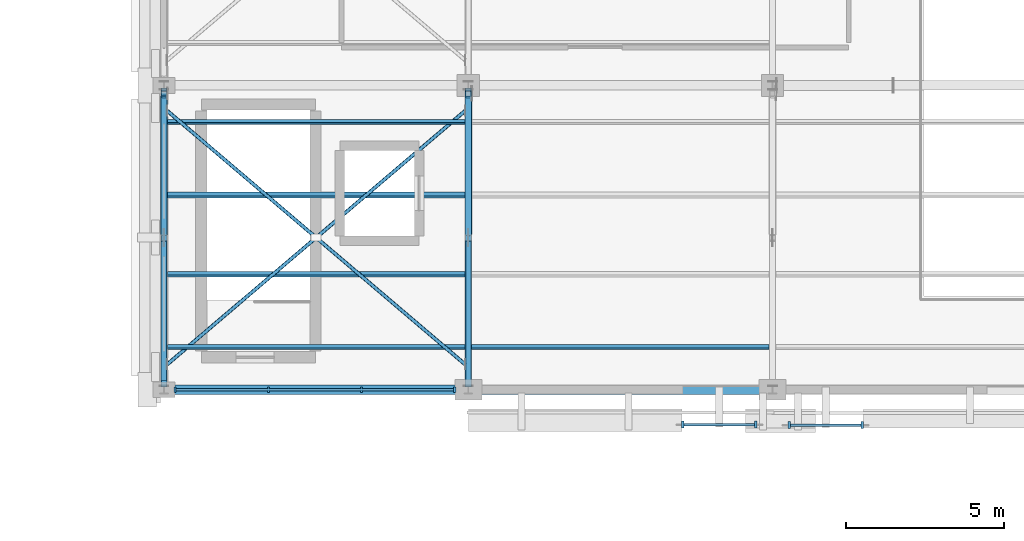
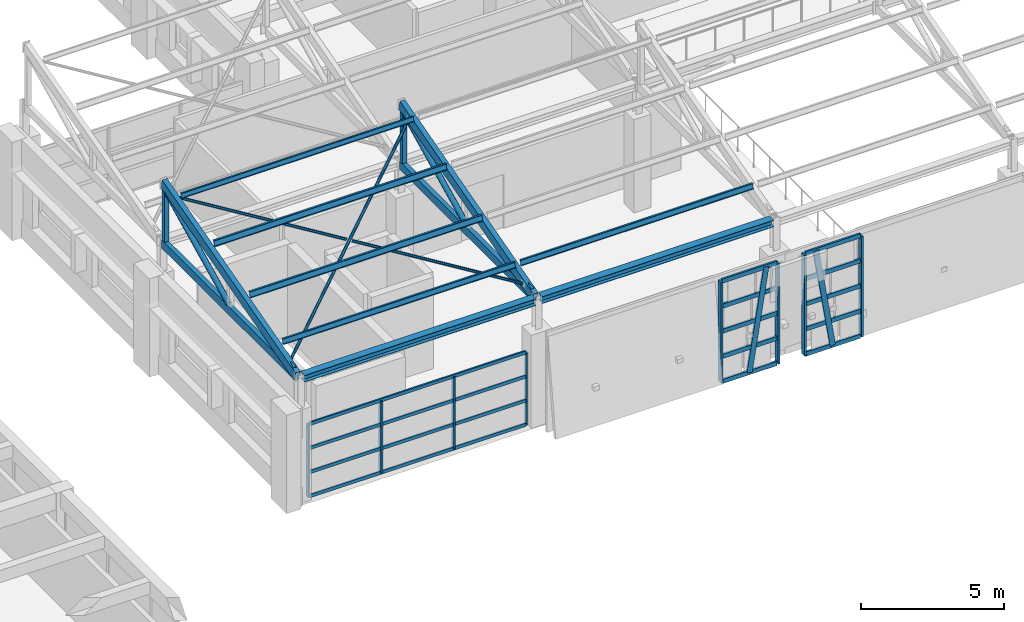
# One storey, part 13 of 58: 42 members, 2 beams, 3 elements without a shape of their own.
"""IFC4 building model written with IfcOpenShell, lengths in metres."""

import ifcopenshell
import ifcopenshell.guid

model = None  # the IFC model being written
_history = None  # IfcOwnerHistory: only IFC2X3 demands one
_inside = {}  # id of a spatial element -> (the spatial element, [elements in it])
_under = {}  # id of a project, library or spatial element -> (it, [spatial elements below it])
_declared = {}  # id of a project -> (the project, [libraries it declares])
_typed = {}  # id of a type object -> (the type object, [elements of that type])
_made_of = {}  # id of a material, layer set ... -> (it, [elements and type objects made of it])


def new_model(schema):
    """Start an empty IFC model of exactly this schema.

    Asked for "IFC4X3", IfcOpenShell would pick the latest addendum, in which some entities
    have other attributes; the version numbers below select the first issue.
    IFC2X3 requires an IfcOwnerHistory on every rooted entity: one is made here for all.
    """
    global model, _history
    if schema == "IFC4X3":
        model = ifcopenshell.file(schema_version=(4, 3, 0, 0))
    else:
        model = ifcopenshell.file(schema=schema)
    _inside.clear()
    _under.clear()
    _declared.clear()
    _typed.clear()
    _made_of.clear()
    _history = None
    if model.schema == "IFC2X3":
        org = make("IfcOrganization", Name="unknown")
        user = make(
            "IfcPersonAndOrganization",
            ThePerson=make("IfcPerson", FamilyName="unknown"),
            TheOrganization=org,
        )
        app = make(
            "IfcApplication",
            ApplicationDeveloper=org,
            Version="unknown",
            ApplicationFullName="unknown",
            ApplicationIdentifier="unknown",
        )
        _history = make(
            "IfcOwnerHistory",
            OwningUser=user,
            OwningApplication=app,
            ChangeAction="ADDED",
            CreationDate=0,
        )
    return model


def make(cls, **values):
    """One entity of the class cls with the attributes given. An attribute that is None is left unset."""
    return model.create_entity(
        cls, **{name: value for name, value in values.items() if value is not None}
    )


def rooted(cls, **values):
    """An entity with a GlobalId (a new one), such as an element, a storey or a relation."""
    return make(cls, GlobalId=ifcopenshell.guid.new(), OwnerHistory=_history, **values)


def si_unit(unit_type, name, prefix=None):
    """IfcSIUnit, for example si_unit("LENGTHUNIT", "METRE", prefix="MILLI")."""
    return make("IfcSIUnit", UnitType=unit_type, Prefix=prefix, Name=name)


def assignment(units):
    """IfcUnitAssignment: the units of a project."""
    return None if units is None else make("IfcUnitAssignment", Units=units)


def point(xyz):
    """IfcCartesianPoint."""
    return None if xyz is None else make("IfcCartesianPoint", Coordinates=xyz)


def direction(xyz):
    """IfcDirection."""
    return None if xyz is None else make("IfcDirection", DirectionRatios=xyz)


def frame(location, z_axis=None, x_axis=None):
    """IfcAxis2Placement3D, a coordinate frame: its origin and axes. An axis left out is left unset."""
    return make(
        "IfcAxis2Placement3D",
        Location=point(location),
        Axis=direction(z_axis),
        RefDirection=direction(x_axis),
    )


def frame_2d(location, x_axis=None):
    """IfcAxis2Placement2D, a coordinate frame in the plane: its origin and x axis."""
    return make(
        "IfcAxis2Placement2D", Location=point(location), RefDirection=direction(x_axis)
    )


def origin():
    """The frame at (0, 0, 0) with its axes left unset."""
    return frame((0.0, 0.0, 0.0))


def origin_2d():
    """The frame at (0, 0) in the plane with its x axis left unset."""
    return frame_2d((0.0, 0.0))


def place(relative_to, where):
    """IfcLocalPlacement: puts the frame where relative to a parent placement (None: the world)."""
    return make(
        "IfcLocalPlacement", PlacementRelTo=relative_to, RelativePlacement=where
    )


def context(
    kind, dimensions, precision=None, world=None, true_north=None, identifier=None
):
    """IfcGeometricRepresentationContext, for example the 3D "Model" context."""
    return make(
        "IfcGeometricRepresentationContext",
        ContextIdentifier=identifier,
        ContextType=kind,
        CoordinateSpaceDimension=dimensions,
        Precision=precision,
        WorldCoordinateSystem=world,
        TrueNorth=true_north,
    )


def subcontext(parent, identifier, kind, view, scale=None):
    """IfcGeometricRepresentationSubContext, for example "Body" below "Model"."""
    return make(
        "IfcGeometricRepresentationSubContext",
        ContextIdentifier=identifier,
        ContextType=kind,
        ParentContext=parent,
        TargetScale=scale,
        TargetView=view,
    )


def project(units=None, contexts=None):
    """IfcProject with its units and contexts."""
    return rooted(
        "IfcProject",
        Name="project",
        RepresentationContexts=contexts,
        UnitsInContext=assignment(units),
    )


def spatial(cls, under=None, at=None, **own):
    """A site, building, storey or space (cls), placed at a placement, below another one or the project."""
    s = rooted(cls, ObjectPlacement=at, **own)
    if under is not None:
        _under.setdefault(under.id(), (under, []))[1].append(s)
    return s


def profile(cls, at=None, kind="AREA", **sizes):
    """A parametric profile (cls). Its sizes go by their IFC names, for example OverallWidth=200.0."""
    return make(cls, ProfileType=kind, Position=at, **sizes)


def rectangle(**sizes):
    """IfcRectangleProfileDef."""
    return profile("IfcRectangleProfileDef", **sizes)


def hollow_rectangle(**sizes):
    """IfcRectangleHollowProfileDef."""
    return profile("IfcRectangleHollowProfileDef", **sizes)


def hollow_circle(**sizes):
    """IfcCircleHollowProfileDef."""
    return profile("IfcCircleHollowProfileDef", **sizes)


def i_section(**sizes):
    """IfcIShapeProfileDef."""
    return profile("IfcIShapeProfileDef", **sizes)


def extrude(swept, where, along, depth):
    """IfcExtrudedAreaSolid: the profile swept, set in the frame where, extruded along a direction by depth."""
    return make(
        "IfcExtrudedAreaSolid",
        SweptArea=swept,
        Position=where,
        ExtrudedDirection=direction(along),
        Depth=depth,
    )


def shape(context_of_items, identifier, shape_type, items):
    """IfcShapeRepresentation: the items that make up one representation, for example the "Body"."""
    return make(
        "IfcShapeRepresentation",
        ContextOfItems=context_of_items,
        RepresentationIdentifier=identifier,
        RepresentationType=shape_type,
        Items=items,
    )


def material(Name=None, Category=None):
    """IfcMaterial."""
    return make("IfcMaterial", Name=Name, Category=Category)


def layer(
    of_material, thickness, ventilated=None, Name=None, Category=None, Priority=None
):
    """IfcMaterialLayer: one layer of a wall or slab, of a material (None: an air gap)."""
    return make(
        "IfcMaterialLayer",
        Material=of_material,
        LayerThickness=thickness,
        IsVentilated=ventilated,
        Name=Name,
        Category=Category,
        Priority=Priority,
    )


def layer_set(layers, Name=None):
    """IfcMaterialLayerSet."""
    return make("IfcMaterialLayerSet", MaterialLayers=layers, LayerSetName=Name)


def material_profile(
    of_material, cross_section, Name=None, Category=None, Priority=None
):
    """IfcMaterialProfile: a cross section and its material."""
    return make(
        "IfcMaterialProfile",
        Name=Name,
        Material=of_material,
        Profile=cross_section,
        Priority=Priority,
        Category=Category,
    )


def profile_set(profiles, Name=None, composite=None):
    """IfcMaterialProfileSet."""
    return make(
        "IfcMaterialProfileSet",
        Name=Name,
        MaterialProfiles=profiles,
        CompositeProfile=composite,
    )


def made_of(thing, what):
    """Note that an element or type object is made of a material, layer set ...; save() writes the relation."""
    if what is not None:
        _made_of.setdefault(what.id(), (what, []))[1].append(thing)
    return thing


def type_object(cls, material=None, **own):
    """A type object (cls), such as IfcWallType, which elements share."""
    return made_of(rooted(cls, **own), material)


def element(
    cls,
    number,
    at=None,
    inside=None,
    cuts=None,
    type_object=None,
    material=None,
    context=None,
    identifier="Body",
    shape_type=None,
    held_by="IfcProductDefinitionShape",
    body=None,
    shapes=None,
    **own,
):
    """One element of the class cls, such as IfcWall. Its Tag is "e" and its number.

    at: its placement. inside: the storey or other place that contains it. cuts: it is an
    opening in that element (IfcRelVoidsElement). A single representation is given by context,
    identifier, shape_type and body (its items); several are given by shapes. held_by: the class
    of the entity that holds the representations. save() writes the other relations.
    """
    e = rooted(cls, Tag="e%d" % number, ObjectPlacement=at, **own)
    if body is not None:
        shapes = [shape(context, identifier, shape_type, body)]
    if shapes is not None:
        e.Representation = make(held_by, Representations=shapes)
    if inside is not None:
        _inside.setdefault(inside.id(), (inside, []))[1].append(e)
    if cuts is not None:
        rooted(
            "IfcRelVoidsElement", RelatingBuildingElement=cuts, RelatedOpeningElement=e
        )
    if type_object is not None:
        _typed.setdefault(type_object.id(), (type_object, []))[1].append(e)
    return made_of(e, material)


def aggregate(whole, parts):
    """IfcRelAggregates: a whole, such as a stair, and the parts it consists of."""
    return rooted("IfcRelAggregates", RelatingObject=whole, RelatedObjects=parts)


def save(model, path):
    """Write the relations noted so far, then the file.

    IfcRelAggregates (storeys below a building ...), IfcRelContainedInSpatialStructure (elements
    in a storey), IfcRelDefinesByType, IfcRelAssociatesMaterial and IfcRelDeclares: one each for
    every whole, place, type object, material and project.
    """
    for whole, parts in _under.values():
        aggregate(whole, parts)
    for where, things in _inside.values():
        rooted(
            "IfcRelContainedInSpatialStructure",
            RelatedElements=things,
            RelatingStructure=where,
        )
    for kind, things in _typed.values():
        rooted("IfcRelDefinesByType", RelatedObjects=things, RelatingType=kind)
    for what, things in _made_of.values():
        rooted("IfcRelAssociatesMaterial", RelatedObjects=things, RelatingMaterial=what)
    for by, libraries in _declared.values():
        rooted("IfcRelDeclares", RelatingContext=by, RelatedDefinitions=libraries)
    model.write(path)


model = new_model("IFC4")

# Units and contexts
model_context = context("Model", 3, precision=1e-05, world=origin(), true_north=direction((0.0, 1.0)))
body_context = subcontext(model_context, "Body", "Model", "MODEL_VIEW")
ifc_project = project(units=[si_unit("LENGTHUNIT", "METRE"), si_unit("AREAUNIT", "SQUARE_METRE"), si_unit("VOLUMEUNIT", "CUBIC_METRE"), si_unit("PLANEANGLEUNIT", "RADIAN"), si_unit("MASSUNIT", "GRAM", prefix="KILO")], contexts=[model_context])

# Site, building, storey
site_placement = place(None, origin())
site = spatial("IfcSite", under=ifc_project, at=site_placement, CompositionType="ELEMENT")
building_placement = place(site_placement, origin())
building = spatial("IfcBuilding", under=site, at=building_placement, Name="Bempovik Park Faculty of Sciences", CompositionType="ELEMENT")
storey_placement = place(building_placement, frame((0.0, 0.0, 18.300048828125)))
storey = spatial("IfcBuildingStorey", under=building, at=storey_placement, Name="L04", CompositionType="ELEMENT", Elevation=18.300048828125)

# Beams
ifc_material_1 = material(Name="Steel S355", Category="steel")
ifc_material_profile_1 = material_profile(ifc_material_1, i_section(OverallWidth=0.300048828125, OverallDepth=0.2900390625, WebThickness=0.008544921875, FlangeThickness=0.013916015625, at=origin_2d()), Name="HEA 300")
ifc_profile_set_1 = profile_set([ifc_material_profile_1], Name="Steel S355")
beam_type = type_object("IfcBeamType", Name="B-131 HEA 300", PredefinedType="BEAM", material=ifc_profile_set_1)
for number, where, z_axis, x_axis, name in (
    (1, (50.530029296875, 67.800048828125, 5.179931640625), (1.0, 0.0, 0.0), (0.0, 1.0, 0.0), "Sawtooth Valley Tie Beam V2-B1 (50.4-60.0)"),
    (2, (60.1298828125, 67.800048828125, 5.179931640625), (1.0, 0.0, 0.0), (0.0, 1.0, 0.0), "Sawtooth Valley Tie Beam V2-B1 (60.0-69.6)"),
):
    element("IfcBeam", number, at=place(storey_placement, frame(where, z_axis=z_axis, x_axis=x_axis)), inside=storey, type_object=beam_type, Name=name, PredefinedType="BEAM", context=body_context, shape_type="SweptSolid", body=[
        extrude(i_section(OverallWidth=0.300048828125, OverallDepth=0.2900390625, WebThickness=0.008544921875, FlangeThickness=0.013916015625, at=origin_2d()), origin(), (0.0, 0.0, 1.0), 9.340087890625),
    ])

# Members
ifc_material_profile_2 = material_profile(ifc_material_1, hollow_rectangle(XDim=0.175048828125, YDim=0.35009765625, WallThickness=0.012451171875, at=origin_2d()), Name="RHS 350x175x12.5")
ifc_profile_set_2 = profile_set([ifc_material_profile_2], Name="Steel S355")
member_type_1 = type_object("IfcMemberType", Name="M-15 RHS 350x175x12.5", PredefinedType="CHORD", material=ifc_profile_set_2)
for number, where, z_axis, x_axis, name in (
    (3, (50.39990234375, 67.93603515625, 5.179931640625), (0.0, 1.0, 0.0), (-1.0, 0.0, 0.0), "Sawtooth Bottom Chord V2-B1 (50.4)"),
    (4, (60.0, 67.93603515625, 5.179931640625), (0.0, 1.0, 0.0), (-1.0, 0.0, 0.0), "Sawtooth Bottom Chord V2-B1 (60.0)"),
):
    element("IfcMember", number, at=place(storey_placement, frame(where, z_axis=z_axis, x_axis=x_axis)), inside=storey, type_object=member_type_1, Name=name, PredefinedType="CHORD", context=body_context, shape_type="SweptSolid", body=[
        extrude(hollow_rectangle(XDim=0.175048828125, YDim=0.35009765625, WallThickness=0.012451171875, at=origin_2d()), origin(), (0.0, 0.0, 1.0), 9.327880859375),
    ])
ifc_material_profile_3 = material_profile(ifc_material_1, i_section(OverallWidth=0.110107421875, OverallDepth=0.219970703125, WebThickness=0.005859375, FlangeThickness=0.00927734375, at=origin_2d()), Name="IPE 220")
ifc_profile_set_3 = profile_set([ifc_material_profile_3], Name="Steel S355")
member_type_2 = type_object("IfcMemberType", Name="M-18 IPE 220", PredefinedType="PURLIN", material=ifc_profile_set_3)
for number, where, z_axis, x_axis, name in (
    (5, (50.506103515625, 69.14404296875, 5.87744140625), (1.0, 0.0, 0.0), (0.0, 0.965925826289, -0.258819045103), "Sawtooth Roof Purlin V2-B1 (50.4-60.0) #1"),
    (6, (60.10595703125, 69.14404296875, 5.87744140625), (1.0, 0.0, 0.0), (0.0, 0.965925826289, -0.258819045103), "Sawtooth Roof Purlin V2-B1 (60.0-69.6) #1"),
):
    element("IfcMember", number, at=place(storey_placement, frame(where, z_axis=z_axis, x_axis=x_axis)), inside=storey, type_object=member_type_2, Name=name, PredefinedType="PURLIN", context=body_context, shape_type="SweptSolid", body=[
        extrude(i_section(OverallWidth=0.110107421875, OverallDepth=0.219970703125, WebThickness=0.005859375, FlangeThickness=0.00927734375, at=origin_2d()), origin(), (0.0, 0.0, 1.0), 9.387939453125),
    ])
ifc_material_profile_4 = material_profile(ifc_material_1, hollow_circle(Radius=0.109619140625, WallThickness=0.010009765625, at=origin_2d()), Name="CHS 219.1x10")
ifc_profile_set_4 = profile_set([ifc_material_profile_4], Name="Steel S355")
member_type_3 = type_object("IfcMemberType", Name="M-22 CHS 219.1x10", PredefinedType="BRACE", material=ifc_profile_set_4)
for number, where, z_axis, x_axis, name in (
    (7, (50.39990234375, 72.705078125, 5.36083984375), (0.0, 0.896782958268, 0.442470706105), (-1.0, 0.0, 0.0), "Sawtooth Web Diagonal 2 V2-B1 (50.4)"),
    (8, (60.0, 72.705078125, 5.36083984375), (0.0, 0.896782958268, 0.442470706105), (-1.0, 0.0, 0.0), "Sawtooth Web Diagonal 2 V2-B1 (60.0)"),
):
    element("IfcMember", number, at=place(storey_placement, frame(where, z_axis=z_axis, x_axis=x_axis)), inside=storey, type_object=member_type_3, Name=name, PredefinedType="BRACE", context=body_context, shape_type="SweptSolid", body=[
        extrude(hollow_circle(Radius=0.109619140625, WallThickness=0.010009765625, at=origin_2d()), origin(), (0.0, 0.0, 1.0), 4.844970703125),
    ])
ifc_material_profile_5 = material_profile(ifc_material_1, hollow_rectangle(XDim=0.179931640625, YDim=0.179931640625, WallThickness=0.008056640625, at=origin_2d()), Name="SHS 180x180x8")
ifc_profile_set_5 = profile_set([ifc_material_profile_5], Name="Steel S355")
member_type_4 = type_object("IfcMemberType", Name="M-40 SHS 180x180x8", PredefinedType="POST", material=ifc_profile_set_5)
for number, where, z_axis, x_axis, name in (
    (9, (50.39990234375, 77.14990234375, 5.36083984375), (0.0, 0.0, 1.0), (1.0, 0.0, 0.0), "Sawtooth North-Light Post V2-B1 (50.4)"),
    (10, (60.0, 77.14990234375, 5.36083984375), (0.0, 0.0, 1.0), (1.0, 0.0, 0.0), "Sawtooth North-Light Post V2-B1 (60.0)"),
):
    element("IfcMember", number, at=place(storey_placement, frame(where, z_axis=z_axis, x_axis=x_axis)), inside=storey, type_object=member_type_4, Name=name, PredefinedType="POST", context=body_context, shape_type="SweptSolid", body=[
        extrude(hollow_rectangle(XDim=0.179931640625, YDim=0.179931640625, WallThickness=0.008056640625, at=origin_2d()), origin(), (0.0, 0.0, 1.0), 2.143798828125),
    ])
ifc_material_profile_6 = material_profile(ifc_material_1, i_section(OverallWidth=0.10009765625, OverallDepth=0.199951171875, WebThickness=0.005615234375, FlangeThickness=0.008544921875, at=origin_2d()), Name="IPE 200")
ifc_profile_set_6 = profile_set([ifc_material_profile_6], Name="Steel S355")
member_type_5 = type_object("IfcMemberType", Name="M-48 IPE 200", PredefinedType="PURLIN", material=ifc_profile_set_6)
member_1_placement = place(storey_placement, frame((50.506103515625, 76.248046875, 7.790771484375), z_axis=(1.0, 0.0, 0.0), x_axis=(0.0, 0.965925826289, -0.258819045103)))
element("IfcMember", 11, at=member_1_placement, inside=storey, type_object=member_type_5, Name="Sawtooth Roof Purlin V2-B1 (50.4-60.0) #4", PredefinedType="PURLIN", context=body_context, shape_type="SweptSolid", body=[
    extrude(i_section(OverallWidth=0.10009765625, OverallDepth=0.199951171875, WebThickness=0.005615234375, FlangeThickness=0.008544921875, at=origin_2d()), origin(), (0.0, 0.0, 1.0), 9.387939453125),
])
ifc_material_profile_7 = material_profile(ifc_material_1, hollow_rectangle(XDim=0.199951171875, YDim=0.39990234375, WallThickness=0.01611328125, at=origin_2d()), Name="RHS 400x200x16")
ifc_profile_set_7 = profile_set([ifc_material_profile_7], Name="Steel S355")
member_type_6 = type_object("IfcMemberType", Name="M-53 RHS 400x200x16", PredefinedType="CHORD", material=ifc_profile_set_7)
for number, where, z_axis, x_axis, name in (
    (12, (50.39990234375, 67.93603515625, 5.182373046875), (0.0, 0.964017594472, 0.265838442572), (-1.0, 0.0, 0.0), "Sawtooth Top Rafter Chord V2-B1 (50.4)"),
    (13, (60.0, 67.93603515625, 5.182373046875), (0.0, 0.964017594472, 0.265838442572), (-1.0, 0.0, 0.0), "Sawtooth Top Rafter Chord V2-B1 (60.0)"),
):
    element("IfcMember", number, at=place(storey_placement, frame(where, z_axis=z_axis, x_axis=x_axis)), inside=storey, type_object=member_type_6, Name=name, PredefinedType="CHORD", context=body_context, shape_type="SweptSolid", body=[
        extrude(hollow_rectangle(XDim=0.199951171875, YDim=0.39990234375, WallThickness=0.01611328125, at=origin_2d()), origin(), (0.0, 0.0, 1.0), 9.676025390625),
    ])
ifc_material_profile_8 = material_profile(ifc_material_1, hollow_circle(Radius=0.05712890625, WallThickness=0.00634765625, at=origin_2d()), Name="CHS 114.3x6.3")
ifc_profile_set_8 = profile_set([ifc_material_profile_8], Name="Steel S355")
member_type_7 = type_object("IfcMemberType", Name="M-72 CHS 114.3x6.3", PredefinedType="BRACE", material=ifc_profile_set_8)
member_2_placement = place(storey_placement, frame((50.5, 68.60009765625, 5.396728515625), z_axis=(0.750306215028, 0.638565114904, 0.171099905666), x_axis=(-0.648122534457, 0.761536066335, 0.0)))
element("IfcMember", 14, at=member_2_placement, inside=storey, type_object=member_type_7, Name="Sawtooth Continuous Roof X-Brace V2-B1 (50.4-60.0)", PredefinedType="BRACE", context=body_context, shape_type="SweptSolid", body=[
    extrude(hollow_circle(Radius=0.05712890625, WallThickness=0.00634765625, at=origin_2d()), origin(), (0.0, 0.0, 1.0), 12.528076171875),
])
member_3_placement = place(storey_placement, frame((50.5, 76.60009765625, 7.540283203125), z_axis=(0.750308493557, -0.638562944003, -0.171098015896), x_axis=(0.648120115182, 0.761538125307, 0.0)))
element("IfcMember", 15, at=member_3_placement, inside=storey, type_object=member_type_7, Name="Sawtooth Split X-Brace Half A V2-B1 (50.4-60.0)", PredefinedType="BRACE", context=body_context, shape_type="SweptSolid", body=[
    extrude(hollow_circle(Radius=0.05712890625, WallThickness=0.00634765625, at=origin_2d()), origin(), (0.0, 0.0, 1.0), 6.17431640625),
])
member_4_placement = place(storey_placement, frame((55.267578125, 72.54248046875, 6.453125), z_axis=(0.750310157612, -0.638558470809, -0.17110741288), x_axis=(0.648116648541, 0.761541075638, 0.0)))
element("IfcMember", 16, at=member_4_placement, inside=storey, type_object=member_type_7, Name="Sawtooth Split X-Brace Half B V2-B1 (50.4-60.0)", PredefinedType="BRACE", context=body_context, shape_type="SweptSolid", body=[
    extrude(hollow_circle(Radius=0.05712890625, WallThickness=0.00634765625, at=origin_2d()), origin(), (0.0, 0.0, 1.0), 6.173828125),
])
ifc_material_profile_9 = material_profile(ifc_material_1, hollow_circle(Radius=0.096923828125, WallThickness=0.008056640625, at=origin_2d()), Name="CHS 193.7x8")
ifc_profile_set_9 = profile_set([ifc_material_profile_9], Name="Steel S355")
member_type_8 = type_object("IfcMemberType", Name="M-74 CHS 193.7x8", PredefinedType="BRACE", material=ifc_profile_set_9)
for number, where, z_axis, x_axis, name in (
    (17, (50.39990234375, 68.110107421875, 5.36083984375), (0.0, 0.980118341504, 0.198413801554), (-1.0, 0.0, 0.0), "Sawtooth Web Diagonal 1 V2-B1 (50.4)"),
    (18, (60.0, 68.110107421875, 5.36083984375), (0.0, 0.980118341504, 0.198413801554), (-1.0, 0.0, 0.0), "Sawtooth Web Diagonal 1 V2-B1 (60.0)"),
):
    element("IfcMember", number, at=place(storey_placement, frame(where, z_axis=z_axis, x_axis=x_axis)), inside=storey, type_object=member_type_8, Name=name, PredefinedType="BRACE", context=body_context, shape_type="SweptSolid", body=[
        extrude(hollow_circle(Radius=0.096923828125, WallThickness=0.008056640625, at=origin_2d()), origin(), (0.0, 0.0, 1.0), 4.473876953125),
    ])
ifc_material_profile_10 = material_profile(ifc_material_1, i_section(OverallWidth=0.1201171875, OverallDepth=0.239990234375, WebThickness=0.006103515625, FlangeThickness=0.009765625, at=origin_2d()), Name="IPE 240")
ifc_profile_set_10 = profile_set([ifc_material_profile_10], Name="Steel S355")
member_type_9 = type_object("IfcMemberType", Name="M-86 IPE 240", PredefinedType="PURLIN", material=ifc_profile_set_10)
for number, where, z_axis, x_axis, name in (
    (19, (50.506103515625, 71.447998046875, 6.48486328125), (1.0, 0.0, 0.0), (0.0, 0.965925826289, -0.258819045103), "Sawtooth Roof Purlin V2-B1 (50.4-60.0) #2"),
    (20, (50.506103515625, 73.944091796875, 7.153564453125), (1.0, 0.0, 0.0), (0.0, 0.965925826289, -0.258819045103), "Sawtooth Roof Purlin V2-B1 (50.4-60.0) #3"),
):
    element("IfcMember", number, at=place(storey_placement, frame(where, z_axis=z_axis, x_axis=x_axis)), inside=storey, type_object=member_type_9, Name=name, PredefinedType="PURLIN", context=body_context, shape_type="SweptSolid", body=[
        extrude(i_section(OverallWidth=0.1201171875, OverallDepth=0.239990234375, WebThickness=0.006103515625, FlangeThickness=0.009765625, at=origin_2d()), origin(), (0.0, 0.0, 1.0), 9.387939453125),
    ])

# Curtain wall, members
ifc_material_2 = material(Name="Tempered laminated low-E glass", Category="glass")
ifc_layer_1 = layer(ifc_material_2, 0.159912109375)
ifc_layer_set_1 = layer_set([ifc_layer_1], Name="Tempered laminated low-E glass")
curtain_wall_type_1 = type_object("IfcCurtainWallType", Name="CW-41 Curtain 6600x3800", PredefinedType="USERDEFINED", material=ifc_layer_set_1)
curtain_wall_1_placement = place(storey_placement, origin())
curtain_wall_1 = element("IfcCurtainWall", 21, at=curtain_wall_1_placement, inside=storey, type_object=curtain_wall_type_1, Name="L04 Unitised Curtain Wall (67.8,50.4)", ObjectType="UNITISED CURTAIN WALL", PredefinedType="USERDEFINED")
ifc_material_3 = material(Name="Anodised architectural bronze", Category="aluminium")
ifc_material_profile_11 = material_profile(ifc_material_3, rectangle(XDim=0.06494140625, YDim=0.169921875, at=origin_2d()), Name="ALU-M 65x170")
ifc_profile_set_11 = profile_set([ifc_material_profile_11], Name="Anodised architectural bronze")
member_type_10 = type_object("IfcMemberType", Name="ML-15 ALU-M 65x170", PredefinedType="MULLION", material=ifc_profile_set_11)
member_5_placement = place(storey_placement, frame((50.751953125, 67.800048828125, 0.0), z_axis=(0.0, 0.0, 1.0), x_axis=(1.0, 0.0, 0.0)))
member_5 = element("IfcMember", 22, at=member_5_placement, type_object=member_type_10, Name="CW-BAY-L04-678-504 Mullion 0", PredefinedType="MULLION", context=body_context, shape_type="SweptSolid", body=[
    extrude(rectangle(XDim=0.06494140625, YDim=0.169921875, at=origin_2d()), origin(), (0.0, 0.0, 1.0), 3.079833984375),
])
member_6_placement = place(storey_placement, frame((53.6923828125, 67.800048828125, 0.0), z_axis=(0.0, 0.0, 1.0), x_axis=(1.0, 0.0, 0.0)))
member_6 = element("IfcMember", 23, at=member_6_placement, type_object=member_type_10, Name="CW-BAY-L04-678-504 Mullion 1", PredefinedType="MULLION", context=body_context, shape_type="SweptSolid", body=[
    extrude(rectangle(XDim=0.06494140625, YDim=0.169921875, at=origin_2d()), origin(), (0.0, 0.0, 1.0), 3.079833984375),
])
member_7_placement = place(storey_placement, frame((56.6328125, 67.800048828125, 0.0), z_axis=(0.0, 0.0, 1.0), x_axis=(1.0, 0.0, 0.0)))
member_7 = element("IfcMember", 24, at=member_7_placement, type_object=member_type_10, Name="CW-BAY-L04-678-504 Mullion 2", PredefinedType="MULLION", context=body_context, shape_type="SweptSolid", body=[
    extrude(rectangle(XDim=0.06494140625, YDim=0.169921875, at=origin_2d()), origin(), (0.0, 0.0, 1.0), 3.079833984375),
])
member_8_placement = place(storey_placement, frame((59.572998046875, 67.800048828125, 0.0), z_axis=(0.0, 0.0, 1.0), x_axis=(1.0, 0.0, 0.0)))
member_8 = element("IfcMember", 25, at=member_8_placement, type_object=member_type_10, Name="CW-BAY-L04-678-504 Mullion 3", PredefinedType="MULLION", context=body_context, shape_type="SweptSolid", body=[
    extrude(rectangle(XDim=0.06494140625, YDim=0.169921875, at=origin_2d()), origin(), (0.0, 0.0, 1.0), 3.079833984375),
])

ifc_layer_2 = layer(ifc_material_2, 0.159912109375)
ifc_layer_set_2 = layer_set([ifc_layer_2], Name="Tempered laminated low-E glass")
curtain_wall_type_2 = type_object("IfcCurtainWallType", Name="CW-33 Curtain 2400x4000", PredefinedType="USERDEFINED", material=ifc_layer_set_2)
curtain_wall_2_placement = place(storey_placement, origin())
curtain_wall_2 = element("IfcCurtainWall", 26, at=curtain_wall_2_placement, inside=storey, type_object=curtain_wall_type_2, Name="L04 Crystal Slantwise Light Fold (67.8,60.0)", ObjectType="UNITISED CURTAIN WALL", PredefinedType="USERDEFINED")
ifc_material_profile_12 = material_profile(ifc_material_3, rectangle(XDim=0.080078125, YDim=0.219970703125, at=origin_2d()), Name="ALU-M 80x220")
ifc_profile_set_12 = profile_set([ifc_material_profile_12], Name="Anodised architectural bronze")
member_type_11 = type_object("IfcMemberType", Name="ML-29 ALU-M 80x220", PredefinedType="MULLION", material=ifc_profile_set_12)
member_9_placement = place(storey_placement, frame((66.77294921875, 66.697021484375, -0.0400390625), z_axis=(0.0, 0.0, 1.0), x_axis=(1.0, 0.0, 0.0)))
member_9 = element("IfcMember", 27, at=member_9_placement, type_object=member_type_11, Name="CW-FOLD-L04-678-600 Mullion 0", PredefinedType="MULLION", context=body_context, shape_type="SweptSolid", body=[
    extrude(rectangle(XDim=0.080078125, YDim=0.219970703125, at=origin_2d()), origin(), (0.0, 0.0, 1.0), 4.280029296875),
])
member_10_placement = place(storey_placement, frame((67.923095703125, 66.697021484375, -0.0400390625), z_axis=(0.156894017146, 0.0, 0.987615445092), x_axis=(0.0, 1.0, 0.0)))
member_10 = element("IfcMember", 28, at=member_10_placement, type_object=member_type_11, Name="CW-FOLD-L04-678-600 Mullion 1", PredefinedType="MULLION", context=body_context, shape_type="SweptSolid", body=[
    extrude(rectangle(XDim=0.080078125, YDim=0.219970703125, at=origin_2d()), origin(), (0.0, 0.0, 1.0), 4.333740234375),
])
member_11_placement = place(storey_placement, frame((69.072998046875, 66.697021484375, -0.0400390625), z_axis=(0.0, 0.0, 1.0), x_axis=(1.0, 0.0, 0.0)))
member_11 = element("IfcMember", 29, at=member_11_placement, type_object=member_type_11, Name="CW-FOLD-L04-678-600 Mullion 2", PredefinedType="MULLION", context=body_context, shape_type="SweptSolid", body=[
    extrude(rectangle(XDim=0.080078125, YDim=0.219970703125, at=origin_2d()), origin(), (0.0, 0.0, 1.0), 4.280029296875),
])

curtain_wall_3_placement = place(storey_placement, origin())
curtain_wall_3 = element("IfcCurtainWall", 30, at=curtain_wall_3_placement, inside=storey, type_object=curtain_wall_type_2, Name="L04 Crystal Slantwise Light Fold (67.8,69.6)", ObjectType="UNITISED CURTAIN WALL", PredefinedType="USERDEFINED")
member_12_placement = place(storey_placement, frame((70.126953125, 66.68212890625, -0.0400390625), z_axis=(0.0, 0.0, 1.0), x_axis=(1.0, 0.0, 0.0)))
member_12 = element("IfcMember", 31, at=member_12_placement, type_object=member_type_11, Name="CW-FOLD-L04-678-696 Mullion 0", PredefinedType="MULLION", context=body_context, shape_type="SweptSolid", body=[
    extrude(rectangle(XDim=0.080078125, YDim=0.219970703125, at=origin_2d()), origin(), (0.0, 0.0, 1.0), 4.280029296875),
])
member_13_placement = place(storey_placement, frame((71.277099609375, 66.68212890625, -0.0400390625), z_axis=(-0.156948965055, 0.0, 0.98760671442), x_axis=(0.0, -1.0, 0.0)))
member_13 = element("IfcMember", 32, at=member_13_placement, type_object=member_type_11, Name="CW-FOLD-L04-678-696 Mullion 1", PredefinedType="MULLION", context=body_context, shape_type="SweptSolid", body=[
    extrude(rectangle(XDim=0.080078125, YDim=0.219970703125, at=origin_2d()), origin(), (0.0, 0.0, 1.0), 4.333740234375),
])
member_14_placement = place(storey_placement, frame((72.427001953125, 66.68212890625, -0.0400390625), z_axis=(0.0, 0.0, 1.0), x_axis=(1.0, 0.0, 0.0)))
member_14 = element("IfcMember", 33, at=member_14_placement, type_object=member_type_11, Name="CW-FOLD-L04-678-696 Mullion 2", PredefinedType="MULLION", context=body_context, shape_type="SweptSolid", body=[
    extrude(rectangle(XDim=0.080078125, YDim=0.219970703125, at=origin_2d()), origin(), (0.0, 0.0, 1.0), 4.280029296875),
])

# Member
ifc_material_profile_13 = material_profile(ifc_material_3, rectangle(XDim=0.06494140625, YDim=0.139892578125, at=origin_2d()), Name="ALU-T 65x140")
ifc_profile_set_13 = profile_set([ifc_material_profile_13], Name="Anodised architectural bronze")
member_type_12 = type_object("IfcMemberType", Name="TR-17 ALU-T 65x140", PredefinedType="USERDEFINED", material=ifc_profile_set_13)
member_15_placement = place(storey_placement, frame((50.7919921875, 67.800048828125, 0.0), z_axis=(1.0, 0.0, 0.0), x_axis=(0.0, 1.0, 0.0)))
member_15 = element("IfcMember", 34, at=member_15_placement, type_object=member_type_12, Name="CW-BAY-L04-678-504 Transom 0", ObjectType="TRANSOM", PredefinedType="USERDEFINED", context=body_context, shape_type="SweptSolid", body=[
    extrude(rectangle(XDim=0.06494140625, YDim=0.139892578125, at=origin_2d()), origin(), (0.0, 0.0, 1.0), 8.740966796875),
])

member_16_placement = place(storey_placement, frame((50.7919921875, 67.800048828125, 1.026611328125), z_axis=(1.0, 0.0, 0.0), x_axis=(0.0, 1.0, 0.0)))
member_16 = element("IfcMember", 35, at=member_16_placement, type_object=member_type_12, Name="CW-BAY-L04-678-504 Transom 1", ObjectType="TRANSOM", PredefinedType="USERDEFINED", context=body_context, shape_type="SweptSolid", body=[
    extrude(rectangle(XDim=0.06494140625, YDim=0.139892578125, at=origin_2d()), origin(), (0.0, 0.0, 1.0), 8.740966796875),
])

member_17_placement = place(storey_placement, frame((50.7919921875, 67.800048828125, 2.05322265625), z_axis=(1.0, 0.0, 0.0), x_axis=(0.0, 1.0, 0.0)))
member_17 = element("IfcMember", 36, at=member_17_placement, type_object=member_type_12, Name="CW-BAY-L04-678-504 Transom 2", ObjectType="TRANSOM", PredefinedType="USERDEFINED", context=body_context, shape_type="SweptSolid", body=[
    extrude(rectangle(XDim=0.06494140625, YDim=0.139892578125, at=origin_2d()), origin(), (0.0, 0.0, 1.0), 8.740966796875),
])

member_18_placement = place(storey_placement, frame((50.7919921875, 67.800048828125, 3.079833984375), z_axis=(1.0, 0.0, 0.0), x_axis=(0.0, 1.0, 0.0)))
member_18 = element("IfcMember", 37, at=member_18_placement, type_object=member_type_12, Name="CW-BAY-L04-678-504 Transom 3", ObjectType="TRANSOM", PredefinedType="USERDEFINED", context=body_context, shape_type="SweptSolid", body=[
    extrude(rectangle(XDim=0.06494140625, YDim=0.139892578125, at=origin_2d()), origin(), (0.0, 0.0, 1.0), 8.740966796875),
])

aggregate(curtain_wall_1, [member_5, member_6, member_7, member_8, member_15, member_16, member_17, member_18])

ifc_material_profile_14 = material_profile(ifc_material_3, rectangle(XDim=0.080078125, YDim=0.179931640625, at=origin_2d()), Name="ALU-T 80x180")
ifc_profile_set_14 = profile_set([ifc_material_profile_14], Name="Anodised architectural bronze")
member_type_13 = type_object("IfcMemberType", Name="TR-29 ALU-T 80x180", PredefinedType="USERDEFINED", material=ifc_profile_set_14)
member_19_placement = place(storey_placement, frame((66.81298828125, 66.697021484375, -0.0400390625), z_axis=(1.0, 0.0, 0.0), x_axis=(0.0, 1.0, 0.0)))
member_19 = element("IfcMember", 38, at=member_19_placement, type_object=member_type_13, Name="CW-FOLD-L04-678-600 Transom 0", ObjectType="TRANSOM", PredefinedType="USERDEFINED", context=body_context, shape_type="SweptSolid", body=[
    extrude(rectangle(XDim=0.080078125, YDim=0.179931640625, at=origin_2d()), origin(), (0.0, 0.0, 1.0), 2.219970703125),
])

member_20_placement = place(storey_placement, frame((66.81298828125, 66.697021484375, 1.030029296875), z_axis=(1.0, 0.0, 0.0), x_axis=(0.0, 1.0, 0.0)))
member_20 = element("IfcMember", 39, at=member_20_placement, type_object=member_type_13, Name="CW-FOLD-L04-678-600 Transom 1", ObjectType="TRANSOM", PredefinedType="USERDEFINED", context=body_context, shape_type="SweptSolid", body=[
    extrude(rectangle(XDim=0.080078125, YDim=0.179931640625, at=origin_2d()), origin(), (0.0, 0.0, 1.0), 2.219970703125),
])

member_21_placement = place(storey_placement, frame((66.81298828125, 66.697021484375, 2.099853515625), z_axis=(1.0, 0.0, 0.0), x_axis=(0.0, 1.0, 0.0)))
member_21 = element("IfcMember", 40, at=member_21_placement, type_object=member_type_13, Name="CW-FOLD-L04-678-600 Transom 2", ObjectType="TRANSOM", PredefinedType="USERDEFINED", context=body_context, shape_type="SweptSolid", body=[
    extrude(rectangle(XDim=0.080078125, YDim=0.179931640625, at=origin_2d()), origin(), (0.0, 0.0, 1.0), 2.219970703125),
])

member_22_placement = place(storey_placement, frame((66.81298828125, 66.697021484375, 3.169921875), z_axis=(1.0, 0.0, 0.0), x_axis=(0.0, 1.0, 0.0)))
member_22 = element("IfcMember", 41, at=member_22_placement, type_object=member_type_13, Name="CW-FOLD-L04-678-600 Transom 3", ObjectType="TRANSOM", PredefinedType="USERDEFINED", context=body_context, shape_type="SweptSolid", body=[
    extrude(rectangle(XDim=0.080078125, YDim=0.179931640625, at=origin_2d()), origin(), (0.0, 0.0, 1.0), 2.219970703125),
])

member_23_placement = place(storey_placement, frame((66.81298828125, 66.697021484375, 4.239990234375), z_axis=(1.0, 0.0, 0.0), x_axis=(0.0, 1.0, 0.0)))
member_23 = element("IfcMember", 42, at=member_23_placement, type_object=member_type_13, Name="CW-FOLD-L04-678-600 Transom 4", ObjectType="TRANSOM", PredefinedType="USERDEFINED", context=body_context, shape_type="SweptSolid", body=[
    extrude(rectangle(XDim=0.080078125, YDim=0.179931640625, at=origin_2d()), origin(), (0.0, 0.0, 1.0), 2.219970703125),
])

aggregate(curtain_wall_2, [member_9, member_10, member_11, member_19, member_20, member_21, member_22, member_23])

member_24_placement = place(storey_placement, frame((70.1669921875, 66.68212890625, -0.0400390625), z_axis=(1.0, 0.0, 0.0), x_axis=(0.0, 1.0, 0.0)))
member_24 = element("IfcMember", 43, at=member_24_placement, type_object=member_type_13, Name="CW-FOLD-L04-678-696 Transom 0", ObjectType="TRANSOM", PredefinedType="USERDEFINED", context=body_context, shape_type="SweptSolid", body=[
    extrude(rectangle(XDim=0.080078125, YDim=0.179931640625, at=origin_2d()), origin(), (0.0, 0.0, 1.0), 2.219970703125),
])

member_25_placement = place(storey_placement, frame((70.1669921875, 66.68212890625, 1.030029296875), z_axis=(1.0, 0.0, 0.0), x_axis=(0.0, 1.0, 0.0)))
member_25 = element("IfcMember", 44, at=member_25_placement, type_object=member_type_13, Name="CW-FOLD-L04-678-696 Transom 1", ObjectType="TRANSOM", PredefinedType="USERDEFINED", context=body_context, shape_type="SweptSolid", body=[
    extrude(rectangle(XDim=0.080078125, YDim=0.179931640625, at=origin_2d()), origin(), (0.0, 0.0, 1.0), 2.219970703125),
])

member_26_placement = place(storey_placement, frame((70.1669921875, 66.68212890625, 2.099853515625), z_axis=(1.0, 0.0, 0.0), x_axis=(0.0, 1.0, 0.0)))
member_26 = element("IfcMember", 45, at=member_26_placement, type_object=member_type_13, Name="CW-FOLD-L04-678-696 Transom 2", ObjectType="TRANSOM", PredefinedType="USERDEFINED", context=body_context, shape_type="SweptSolid", body=[
    extrude(rectangle(XDim=0.080078125, YDim=0.179931640625, at=origin_2d()), origin(), (0.0, 0.0, 1.0), 2.219970703125),
])

member_27_placement = place(storey_placement, frame((70.1669921875, 66.68212890625, 3.169921875), z_axis=(1.0, 0.0, 0.0), x_axis=(0.0, 1.0, 0.0)))
member_27 = element("IfcMember", 46, at=member_27_placement, type_object=member_type_13, Name="CW-FOLD-L04-678-696 Transom 3", ObjectType="TRANSOM", PredefinedType="USERDEFINED", context=body_context, shape_type="SweptSolid", body=[
    extrude(rectangle(XDim=0.080078125, YDim=0.179931640625, at=origin_2d()), origin(), (0.0, 0.0, 1.0), 2.219970703125),
])

member_28_placement = place(storey_placement, frame((70.1669921875, 66.68212890625, 4.239990234375), z_axis=(1.0, 0.0, 0.0), x_axis=(0.0, 1.0, 0.0)))
member_28 = element("IfcMember", 47, at=member_28_placement, type_object=member_type_13, Name="CW-FOLD-L04-678-696 Transom 4", ObjectType="TRANSOM", PredefinedType="USERDEFINED", context=body_context, shape_type="SweptSolid", body=[
    extrude(rectangle(XDim=0.080078125, YDim=0.179931640625, at=origin_2d()), origin(), (0.0, 0.0, 1.0), 2.219970703125),
])

aggregate(curtain_wall_3, [member_12, member_13, member_14, member_24, member_25, member_26, member_27, member_28])

save(model, "model.ifc")
